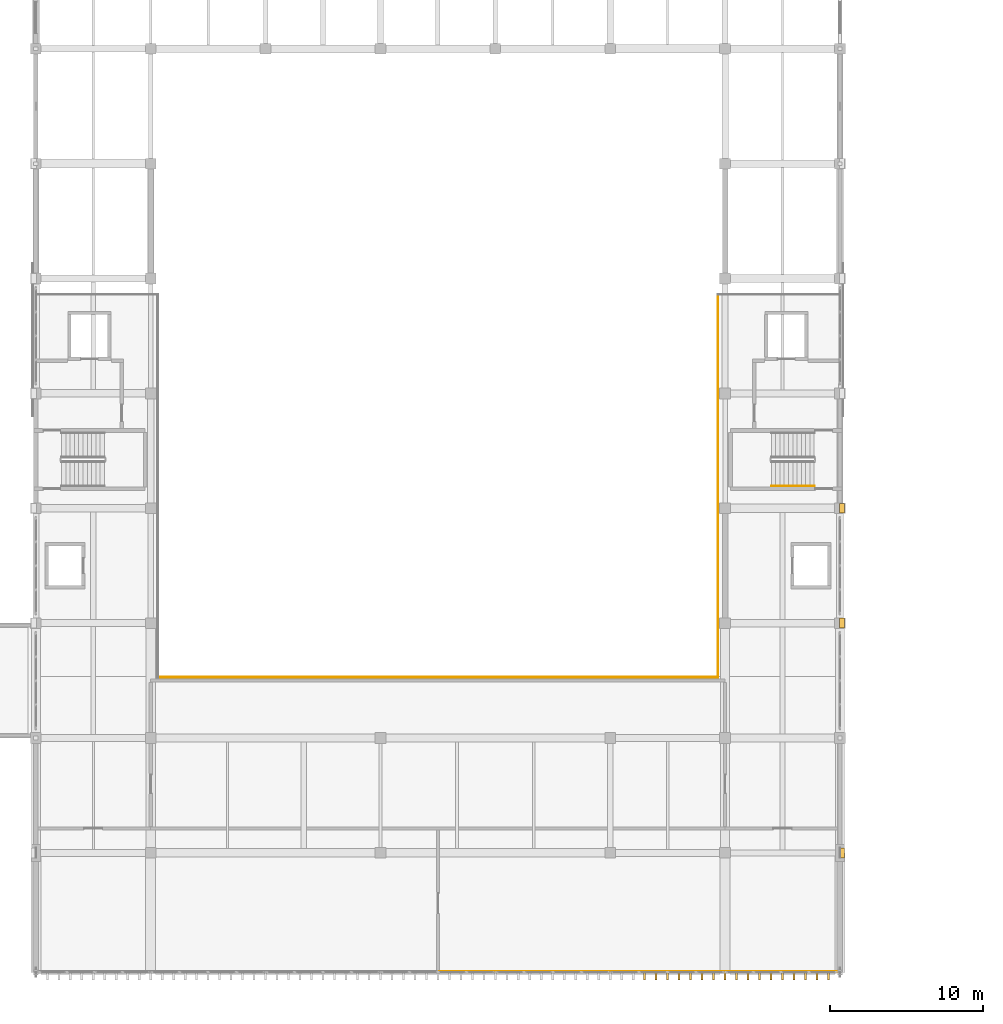
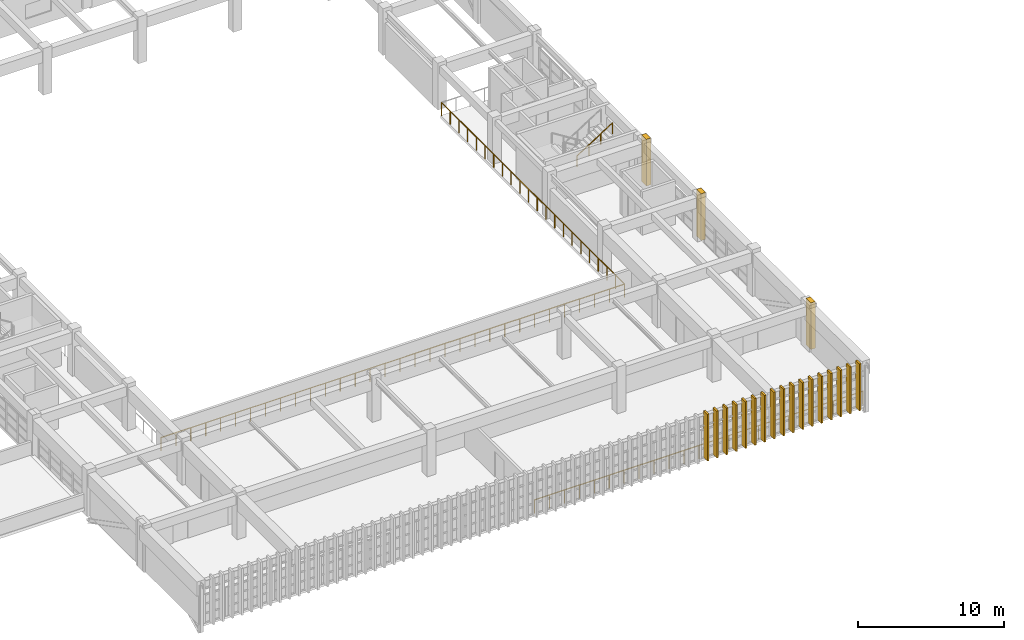
# One storey, part 77 of 82: 20 coverings, 4 railings.
"""IFC4 building model written with IfcOpenShell, lengths in metres."""

from ifc_helpers import new_model, si_unit, direction, frame, origin, origin_2d, place, context, subcontext, project, spatial, rectangle, circle, extrude, material, layer, layer_set, type_object, element, save


model = new_model("IFC4")

# Units and contexts
model_context = context("Model", 3, precision=1e-05, world=origin(), true_north=direction((0.0, 1.0)))
body_context = subcontext(model_context, "Body", "Model", "MODEL_VIEW")
ifc_project = project(units=[si_unit("LENGTHUNIT", "METRE"), si_unit("AREAUNIT", "SQUARE_METRE"), si_unit("VOLUMEUNIT", "CUBIC_METRE"), si_unit("PLANEANGLEUNIT", "RADIAN"), si_unit("MASSUNIT", "GRAM", prefix="KILO")], contexts=[model_context])

# Site, building, storey
site_placement = place(None, origin())
site = spatial("IfcSite", under=ifc_project, at=site_placement, CompositionType="ELEMENT")
building_placement = place(site_placement, origin())
building = spatial("IfcBuilding", under=site, at=building_placement, Name="Qasida Concert Hall", CompositionType="ELEMENT")
storey_placement = place(building_placement, frame((0.0, 0.0, 17.10009765625)))
storey = spatial("IfcBuildingStorey", under=building, at=storey_placement, Name="L04", CompositionType="ELEMENT", Elevation=17.10009765625)

# Coverings
ifc_material_1 = material(Name="Fluted ochre Lebanese limestone and patinated bronze fin", Category="masonry")
ifc_layer_1 = layer(ifc_material_1, 0.52001953125, Name="Fluted ochre Lebanese limestone and patinated bronze fin")
ifc_layer_set_1 = layer_set([ifc_layer_1], Name="Fluted ochre Lebanese limestone and patinated bronze fin")
covering_type_1 = type_object("IfcCoveringType", Name="CV-FIN-520", PredefinedType="CLADDING", material=ifc_layer_set_1)
for number, where, z_axis, x_axis, name in (
    (1, (92.25, 14.4599609375, 0.0), (0.0, 0.0, 1.0), (1.0, 0.0, 0.0), "L04 fluted facade fin FN-053"),
    (2, (93.0, 14.4599609375, 0.0), (0.0, 0.0, 1.0), (1.0, 0.0, 0.0), "L04 fluted facade fin FN-054"),
    (3, (93.75, 14.4599609375, 0.0), (0.0, 0.0, 1.0), (1.0, 0.0, 0.0), "L04 fluted facade fin FN-055"),
    (4, (94.5, 14.4599609375, 0.0), (0.0, 0.0, 1.0), (1.0, 0.0, 0.0), "L04 fluted facade fin FN-056"),
    (5, (95.25, 14.4599609375, 0.0), (0.0, 0.0, 1.0), (1.0, 0.0, 0.0), "L04 fluted facade fin FN-057"),
    (6, (96.0, 14.4599609375, 0.0), (0.0, 0.0, 1.0), (1.0, 0.0, 0.0), "L04 fluted facade fin FN-058"),
    (7, (96.75, 14.4599609375, 0.0), (0.0, 0.0, 1.0), (1.0, 0.0, 0.0), "L04 fluted facade fin FN-059"),
    (8, (97.5, 14.4599609375, 0.0), (0.0, 0.0, 1.0), (1.0, 0.0, 0.0), "L04 fluted facade fin FN-060"),
    (9, (98.25, 14.4599609375, 0.0), (0.0, 0.0, 1.0), (1.0, 0.0, 0.0), "L04 fluted facade fin FN-061"),
    (10, (99.0, 14.4599609375, 0.0), (0.0, 0.0, 1.0), (1.0, 0.0, 0.0), "L04 fluted facade fin FN-062"),
    (11, (99.75, 14.4599609375, 0.0), (0.0, 0.0, 1.0), (1.0, 0.0, 0.0), "L04 fluted facade fin FN-063"),
    (12, (100.5, 14.4599609375, 0.0), (0.0, 0.0, 1.0), (1.0, 0.0, 0.0), "L04 fluted facade fin FN-064"),
    (13, (101.25, 14.4599609375, 0.0), (0.0, 0.0, 1.0), (1.0, 0.0, 0.0), "L04 fluted facade fin FN-065"),
    (14, (102.0, 14.4599609375, 0.0), (0.0, 0.0, 1.0), (1.0, 0.0, 0.0), "L04 fluted facade fin FN-066"),
    (15, (102.75, 14.4599609375, 0.0), (0.0, 0.0, 1.0), (1.0, 0.0, 0.0), "L04 fluted facade fin FN-067"),
    (16, (103.5, 14.4599609375, 0.0), (0.0, 0.0, 1.0), (1.0, 0.0, 0.0), "L04 fluted facade fin FN-068"),
    (17, (104.25, 14.4599609375, 0.0), (0.0, 0.0, 1.0), (1.0, 0.0, 0.0), "L04 fluted facade fin FN-069"),
):
    element("IfcCovering", number, at=place(storey_placement, frame(where, z_axis=z_axis, x_axis=x_axis)), inside=storey, type_object=covering_type_1, Name=name, PredefinedType="CLADDING", context=body_context, shape_type="SweptSolid", body=[
        extrude(rectangle(XDim=0.139892578125, YDim=0.52001953125, at=origin_2d()), origin(), (0.0, 0.0, 1.0), 3.89990234375),
    ])
ifc_material_2 = material(Name="Projecting fluted Lebanese limestone Art Deco pilaster", Category="masonry")
ifc_layer_2 = layer(ifc_material_2, 0.35009765625, Name="Projecting fluted Lebanese limestone Art Deco pilaster")
ifc_layer_set_2 = layer_set([ifc_layer_2], Name="Projecting fluted Lebanese limestone Art Deco pilaster")
covering_type_2 = type_object("IfcCoveringType", Name="CV-PIL-650", PredefinedType="CLADDING", material=ifc_layer_set_2)
for number, where, z_axis, x_axis, name in (
    (18, (105.135009765625, 22.5, 0.0), (0.0, 0.0, 1.0), (1.0, 0.0, 0.0), "L04 fluted limestone pilaster 0012"),
    (19, (105.135009765625, 37.5, 0.0), (0.0, 0.0, 1.0), (1.0, 0.0, 0.0), "L04 fluted limestone pilaster 0026"),
    (20, (105.135009765625, 45.0, 0.0), (0.0, 0.0, 1.0), (1.0, 0.0, 0.0), "L04 fluted limestone pilaster 0040"),
):
    element("IfcCovering", number, at=place(storey_placement, frame(where, z_axis=z_axis, x_axis=x_axis)), inside=storey, type_object=covering_type_2, Name=name, PredefinedType="CLADDING", context=body_context, shape_type="SweptSolid", body=[
        extrude(rectangle(XDim=0.35009765625, YDim=0.64990234375, at=origin_2d()), origin(), (0.0, 0.0, 1.0), 3.89990234375),
    ])

# Railings
ifc_material_3 = material(Name="Patinated architectural bronze and laminated glass infill", Category="glass")
ifc_layer_3 = layer(ifc_material_3, 0.080078125, Name="Patinated architectural bronze and laminated glass infill")
ifc_layer_set_3 = layer_set([ifc_layer_3], Name="Patinated architectural bronze and laminated glass infill")
railing_type_1 = type_object("IfcRailingType", Name="RL-GRD-1100", PredefinedType="GUARDRAIL", material=ifc_layer_set_3)
railing_1_placement = place(storey_placement, frame((78.8701171875, 14.760009765625, 0.0)))
element("IfcRailing", 21, at=railing_1_placement, inside=storey, type_object=railing_type_1, Name="L04 South overhang east gallery guard 0021", PredefinedType="GUARDRAIL", context=body_context, shape_type="SweptSolid", body=[
    extrude(circle(Radius=0.02392578125, at=origin_2d()), frame((0.0, 0.0, 1.09619140625), z_axis=(1.0, 0.0, 0.0), x_axis=(0.0, 1.0, 0.0)), (0.0, 0.0, 1.0), 25.929931640625),
    extrude(circle(Radius=0.02099609375, at=origin_2d()), origin(), (0.0, 0.0, 1.0), 1.072021484375),
    extrude(circle(Radius=0.02099609375, at=origin_2d()), frame((1.1787109375, 0.0, 0.0)), (0.0, 0.0, 1.0), 1.072021484375),
    extrude(circle(Radius=0.02099609375, at=origin_2d()), frame((2.357177734375, 0.0, 0.0)), (0.0, 0.0, 1.0), 1.072021484375),
    extrude(circle(Radius=0.02099609375, at=origin_2d()), frame((3.535888671875, 0.0, 0.0)), (0.0, 0.0, 1.0), 1.072021484375),
    extrude(circle(Radius=0.02099609375, at=origin_2d()), frame((4.714599609375, 0.0, 0.0)), (0.0, 0.0, 1.0), 1.072021484375),
    extrude(circle(Radius=0.02099609375, at=origin_2d()), frame((5.89306640625, 0.0, 0.0)), (0.0, 0.0, 1.0), 1.072021484375),
    extrude(circle(Radius=0.02099609375, at=origin_2d()), frame((7.07177734375, 0.0, 0.0)), (0.0, 0.0, 1.0), 1.072021484375),
    extrude(circle(Radius=0.02099609375, at=origin_2d()), frame((8.25048828125, 0.0, 0.0)), (0.0, 0.0, 1.0), 1.072021484375),
    extrude(circle(Radius=0.02099609375, at=origin_2d()), frame((9.428955078125, 0.0, 0.0)), (0.0, 0.0, 1.0), 1.072021484375),
    extrude(circle(Radius=0.02099609375, at=origin_2d()), frame((10.607666015625, 0.0, 0.0)), (0.0, 0.0, 1.0), 1.072021484375),
    extrude(circle(Radius=0.02099609375, at=origin_2d()), frame((11.786376953125, 0.0, 0.0)), (0.0, 0.0, 1.0), 1.072021484375),
    extrude(circle(Radius=0.02099609375, at=origin_2d()), frame((12.96484375, 0.0, 0.0)), (0.0, 0.0, 1.0), 1.072021484375),
    extrude(circle(Radius=0.02099609375, at=origin_2d()), frame((14.1435546875, 0.0, 0.0)), (0.0, 0.0, 1.0), 1.072021484375),
    extrude(circle(Radius=0.02099609375, at=origin_2d()), frame((15.322265625, 0.0, 0.0)), (0.0, 0.0, 1.0), 1.072021484375),
    extrude(circle(Radius=0.02099609375, at=origin_2d()), frame((16.5009765625, 0.0, 0.0)), (0.0, 0.0, 1.0), 1.072021484375),
    extrude(circle(Radius=0.02099609375, at=origin_2d()), frame((17.679443359375, 0.0, 0.0)), (0.0, 0.0, 1.0), 1.072021484375),
    extrude(circle(Radius=0.02099609375, at=origin_2d()), frame((18.858154296875, 0.0, 0.0)), (0.0, 0.0, 1.0), 1.072021484375),
    extrude(circle(Radius=0.02099609375, at=origin_2d()), frame((20.036865234375, 0.0, 0.0)), (0.0, 0.0, 1.0), 1.072021484375),
    extrude(circle(Radius=0.02099609375, at=origin_2d()), frame((21.21533203125, 0.0, 0.0)), (0.0, 0.0, 1.0), 1.072021484375),
    extrude(circle(Radius=0.02099609375, at=origin_2d()), frame((22.39404296875, 0.0, 0.0)), (0.0, 0.0, 1.0), 1.072021484375),
    extrude(circle(Radius=0.02099609375, at=origin_2d()), frame((23.57275390625, 0.0, 0.0)), (0.0, 0.0, 1.0), 1.072021484375),
    extrude(circle(Radius=0.02099609375, at=origin_2d()), frame((24.751220703125, 0.0, 0.0)), (0.0, 0.0, 1.0), 1.072021484375),
    extrude(circle(Radius=0.02099609375, at=origin_2d()), frame((25.929931640625, 0.0, 0.0)), (0.0, 0.0, 1.0), 1.072021484375),
])
railing_2_placement = place(storey_placement, frame((60.4599609375, 33.9599609375, 0.0)))
element("IfcRailing", 22, at=railing_2_placement, inside=storey, type_object=railing_type_1, Name="L04 Symphony upper gallery guardrail 0115", PredefinedType="GUARDRAIL", context=body_context, shape_type="SweptSolid", body=[
    extrude(circle(Radius=0.02392578125, at=origin_2d()), frame((0.0, 0.0, 1.09619140625), z_axis=(1.0, 0.0, 0.0), x_axis=(0.0, 1.0, 0.0)), (0.0, 0.0, 1.0), 36.580078125),
    extrude(circle(Radius=0.02099609375, at=origin_2d()), origin(), (0.0, 0.0, 1.0), 1.072021484375),
    extrude(circle(Radius=0.02099609375, at=origin_2d()), frame((1.179931640625, 0.0, 0.0)), (0.0, 0.0, 1.0), 1.072021484375),
    extrude(circle(Radius=0.02099609375, at=origin_2d()), frame((2.360107421875, 0.0, 0.0)), (0.0, 0.0, 1.0), 1.072021484375),
    extrude(circle(Radius=0.02099609375, at=origin_2d()), frame((3.5400390625, 0.0, 0.0)), (0.0, 0.0, 1.0), 1.072021484375),
    extrude(circle(Radius=0.02099609375, at=origin_2d()), frame((4.719970703125, 0.0, 0.0)), (0.0, 0.0, 1.0), 1.072021484375),
    extrude(circle(Radius=0.02099609375, at=origin_2d()), frame((5.89990234375, 0.0, 0.0)), (0.0, 0.0, 1.0), 1.072021484375),
    extrude(circle(Radius=0.02099609375, at=origin_2d()), frame((7.080078125, 0.0, 0.0)), (0.0, 0.0, 1.0), 1.072021484375),
    extrude(circle(Radius=0.02099609375, at=origin_2d()), frame((8.260009765625, 0.0, 0.0)), (0.0, 0.0, 1.0), 1.072021484375),
    extrude(circle(Radius=0.02099609375, at=origin_2d()), frame((9.43994140625, 0.0, 0.0)), (0.0, 0.0, 1.0), 1.072021484375),
    extrude(circle(Radius=0.02099609375, at=origin_2d()), frame((10.6201171875, 0.0, 0.0)), (0.0, 0.0, 1.0), 1.072021484375),
    extrude(circle(Radius=0.02099609375, at=origin_2d()), frame((11.800048828125, 0.0, 0.0)), (0.0, 0.0, 1.0), 1.072021484375),
    extrude(circle(Radius=0.02099609375, at=origin_2d()), frame((12.97998046875, 0.0, 0.0)), (0.0, 0.0, 1.0), 1.072021484375),
    extrude(circle(Radius=0.02099609375, at=origin_2d()), frame((14.159912109375, 0.0, 0.0)), (0.0, 0.0, 1.0), 1.072021484375),
    extrude(circle(Radius=0.02099609375, at=origin_2d()), frame((15.340087890625, 0.0, 0.0)), (0.0, 0.0, 1.0), 1.072021484375),
    extrude(circle(Radius=0.02099609375, at=origin_2d()), frame((16.52001953125, 0.0, 0.0)), (0.0, 0.0, 1.0), 1.072021484375),
    extrude(circle(Radius=0.02099609375, at=origin_2d()), frame((17.699951171875, 0.0, 0.0)), (0.0, 0.0, 1.0), 1.072021484375),
    extrude(circle(Radius=0.02099609375, at=origin_2d()), frame((18.880126953125, 0.0, 0.0)), (0.0, 0.0, 1.0), 1.072021484375),
    extrude(circle(Radius=0.02099609375, at=origin_2d()), frame((20.06005859375, 0.0, 0.0)), (0.0, 0.0, 1.0), 1.072021484375),
    extrude(circle(Radius=0.02099609375, at=origin_2d()), frame((21.239990234375, 0.0, 0.0)), (0.0, 0.0, 1.0), 1.072021484375),
    extrude(circle(Radius=0.02099609375, at=origin_2d()), frame((22.420166015625, 0.0, 0.0)), (0.0, 0.0, 1.0), 1.072021484375),
    extrude(circle(Radius=0.02099609375, at=origin_2d()), frame((23.60009765625, 0.0, 0.0)), (0.0, 0.0, 1.0), 1.072021484375),
    extrude(circle(Radius=0.02099609375, at=origin_2d()), frame((24.780029296875, 0.0, 0.0)), (0.0, 0.0, 1.0), 1.072021484375),
    extrude(circle(Radius=0.02099609375, at=origin_2d()), frame((25.9599609375, 0.0, 0.0)), (0.0, 0.0, 1.0), 1.072021484375),
    extrude(circle(Radius=0.02099609375, at=origin_2d()), frame((27.14013671875, 0.0, 0.0)), (0.0, 0.0, 1.0), 1.072021484375),
    extrude(circle(Radius=0.02099609375, at=origin_2d()), frame((28.320068359375, 0.0, 0.0)), (0.0, 0.0, 1.0), 1.072021484375),
    extrude(circle(Radius=0.02099609375, at=origin_2d()), frame((29.5, 0.0, 0.0)), (0.0, 0.0, 1.0), 1.072021484375),
    extrude(circle(Radius=0.02099609375, at=origin_2d()), frame((30.68017578125, 0.0, 0.0)), (0.0, 0.0, 1.0), 1.072021484375),
    extrude(circle(Radius=0.02099609375, at=origin_2d()), frame((31.860107421875, 0.0, 0.0)), (0.0, 0.0, 1.0), 1.072021484375),
    extrude(circle(Radius=0.02099609375, at=origin_2d()), frame((33.0400390625, 0.0, 0.0)), (0.0, 0.0, 1.0), 1.072021484375),
    extrude(circle(Radius=0.02099609375, at=origin_2d()), frame((34.219970703125, 0.0, 0.0)), (0.0, 0.0, 1.0), 1.072021484375),
    extrude(circle(Radius=0.02099609375, at=origin_2d()), frame((35.400146484375, 0.0, 0.0)), (0.0, 0.0, 1.0), 1.072021484375),
    extrude(circle(Radius=0.02099609375, at=origin_2d()), frame((36.580078125, 0.0, 0.0)), (0.0, 0.0, 1.0), 1.072021484375),
])
railing_3_placement = place(storey_placement, frame((97.0400390625, 33.9599609375, 0.0)))
element("IfcRailing", 23, at=railing_3_placement, inside=storey, type_object=railing_type_1, Name="L04 Symphony upper gallery guardrail 0116", PredefinedType="GUARDRAIL", context=body_context, shape_type="SweptSolid", body=[
    extrude(circle(Radius=0.02392578125, at=origin_2d()), frame((0.0, 0.0, 1.09619140625), z_axis=(0.0, 1.0, 0.0), x_axis=(-1.0, 0.0, 0.0)), (0.0, 0.0, 1.0), 24.989990234375),
    extrude(circle(Radius=0.02099609375, at=origin_2d()), origin(), (0.0, 0.0, 1.0), 1.072021484375),
    extrude(circle(Radius=0.02099609375, at=origin_2d()), frame((0.0, 1.18994140625, 0.0)), (0.0, 0.0, 1.0), 1.072021484375),
    extrude(circle(Radius=0.02099609375, at=origin_2d()), frame((0.0, 2.3798828125, 0.0)), (0.0, 0.0, 1.0), 1.072021484375),
    extrude(circle(Radius=0.02099609375, at=origin_2d()), frame((0.0, 3.570068359375, 0.0)), (0.0, 0.0, 1.0), 1.072021484375),
    extrude(circle(Radius=0.02099609375, at=origin_2d()), frame((0.0, 4.760009765625, 0.0)), (0.0, 0.0, 1.0), 1.072021484375),
    extrude(circle(Radius=0.02099609375, at=origin_2d()), frame((0.0, 5.949951171875, 0.0)), (0.0, 0.0, 1.0), 1.072021484375),
    extrude(circle(Radius=0.02099609375, at=origin_2d()), frame((0.0, 7.139892578125, 0.0)), (0.0, 0.0, 1.0), 1.072021484375),
    extrude(circle(Radius=0.02099609375, at=origin_2d()), frame((0.0, 8.330078125, 0.0)), (0.0, 0.0, 1.0), 1.072021484375),
    extrude(circle(Radius=0.02099609375, at=origin_2d()), frame((0.0, 9.52001953125, 0.0)), (0.0, 0.0, 1.0), 1.072021484375),
    extrude(circle(Radius=0.02099609375, at=origin_2d()), frame((0.0, 10.7099609375, 0.0)), (0.0, 0.0, 1.0), 1.072021484375),
    extrude(circle(Radius=0.02099609375, at=origin_2d()), frame((0.0, 11.89990234375, 0.0)), (0.0, 0.0, 1.0), 1.072021484375),
    extrude(circle(Radius=0.02099609375, at=origin_2d()), frame((0.0, 13.090087890625, 0.0)), (0.0, 0.0, 1.0), 1.072021484375),
    extrude(circle(Radius=0.02099609375, at=origin_2d()), frame((0.0, 14.280029296875, 0.0)), (0.0, 0.0, 1.0), 1.072021484375),
    extrude(circle(Radius=0.02099609375, at=origin_2d()), frame((0.0, 15.469970703125, 0.0)), (0.0, 0.0, 1.0), 1.072021484375),
    extrude(circle(Radius=0.02099609375, at=origin_2d()), frame((0.0, 16.659912109375, 0.0)), (0.0, 0.0, 1.0), 1.072021484375),
    extrude(circle(Radius=0.02099609375, at=origin_2d()), frame((0.0, 17.85009765625, 0.0)), (0.0, 0.0, 1.0), 1.072021484375),
    extrude(circle(Radius=0.02099609375, at=origin_2d()), frame((0.0, 19.0400390625, 0.0)), (0.0, 0.0, 1.0), 1.072021484375),
    extrude(circle(Radius=0.02099609375, at=origin_2d()), frame((0.0, 20.22998046875, 0.0)), (0.0, 0.0, 1.0), 1.072021484375),
    extrude(circle(Radius=0.02099609375, at=origin_2d()), frame((0.0, 21.419921875, 0.0)), (0.0, 0.0, 1.0), 1.072021484375),
    extrude(circle(Radius=0.02099609375, at=origin_2d()), frame((0.0, 22.610107421875, 0.0)), (0.0, 0.0, 1.0), 1.072021484375),
    extrude(circle(Radius=0.02099609375, at=origin_2d()), frame((0.0, 23.800048828125, 0.0)), (0.0, 0.0, 1.0), 1.072021484375),
    extrude(circle(Radius=0.02099609375, at=origin_2d()), frame((0.0, 24.989990234375, 0.0)), (0.0, 0.0, 1.0), 1.072021484375),
])
ifc_material_4 = material(Name="Patinated tubular architectural bronze", Category="steel")
ifc_layer_4 = layer(ifc_material_4, 0.050048828125, Name="Patinated tubular architectural bronze")
ifc_layer_set_4 = layer_set([ifc_layer_4], Name="Patinated tubular architectural bronze")
railing_type_2 = type_object("IfcRailingType", Name="RL-HND-900", PredefinedType="HANDRAIL", material=ifc_layer_set_4)
railing_4_placement = place(storey_placement, frame((100.52001953125, 46.449951171875, 2.127197265625)))
element("IfcRailing", 24, at=railing_4_placement, inside=storey, type_object=railing_type_2, Name="L04 ST-02 stair handrail 2", PredefinedType="HANDRAIL", context=body_context, shape_type="SweptSolid", body=[
    extrude(circle(Radius=0.02392578125, at=origin_2d()), frame((0.0, 0.0, 0.8759765625), z_axis=(0.844908973607, 0.0, 0.534910110503), x_axis=(0.0, 1.0, 0.0)), (0.0, 0.0, 1.0), 3.31396484375),
    extrude(circle(Radius=0.02099609375, at=origin_2d()), origin(), (0.0, 0.0, 1.0), 0.851806640625),
    extrude(circle(Radius=0.02099609375, at=origin_2d()), frame((0.933349609375, 0.0, 0.5908203125)), (0.0, 0.0, 1.0), 0.851806640625),
    extrude(circle(Radius=0.02099609375, at=origin_2d()), frame((1.86669921875, 0.0, 1.181884765625)), (0.0, 0.0, 1.0), 0.851806640625),
    extrude(circle(Radius=0.02099609375, at=origin_2d()), frame((2.800048828125, 0.0, 1.772705078125)), (0.0, 0.0, 1.0), 0.851806640625),
])

save(model, "model.ifc")
